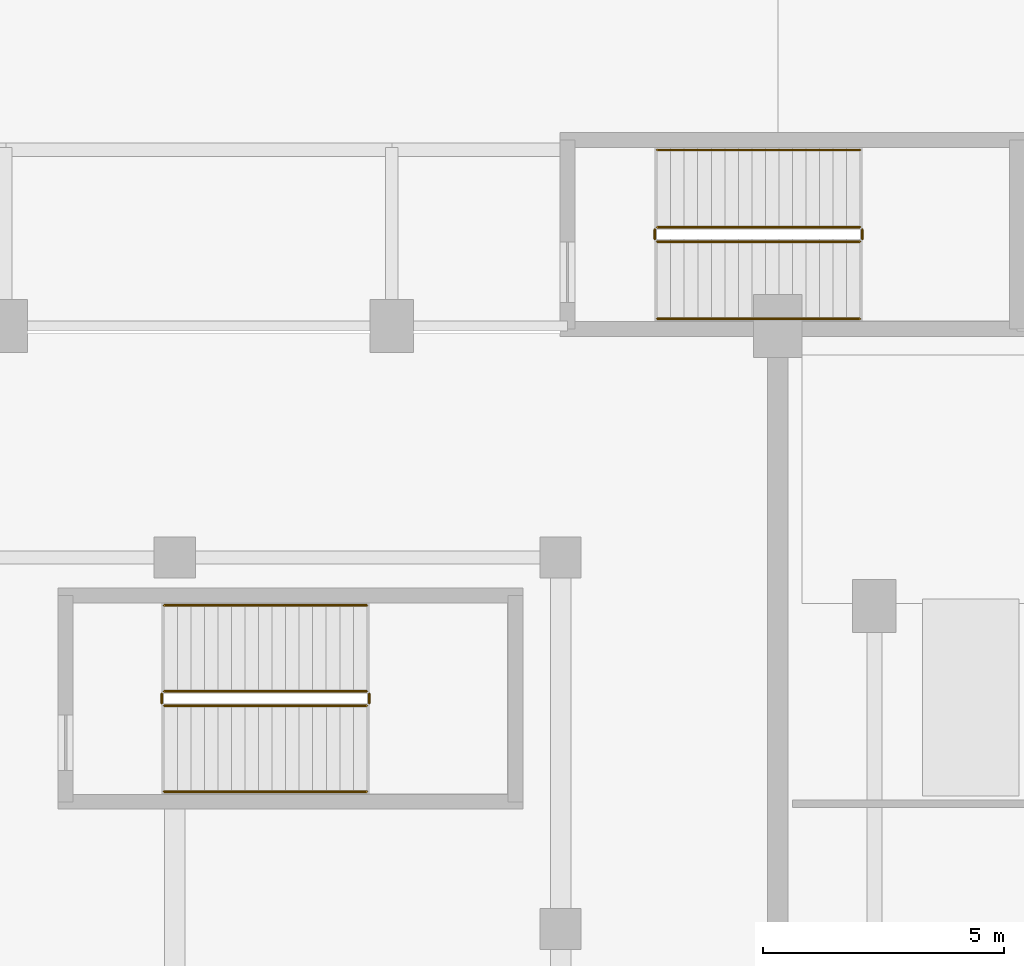
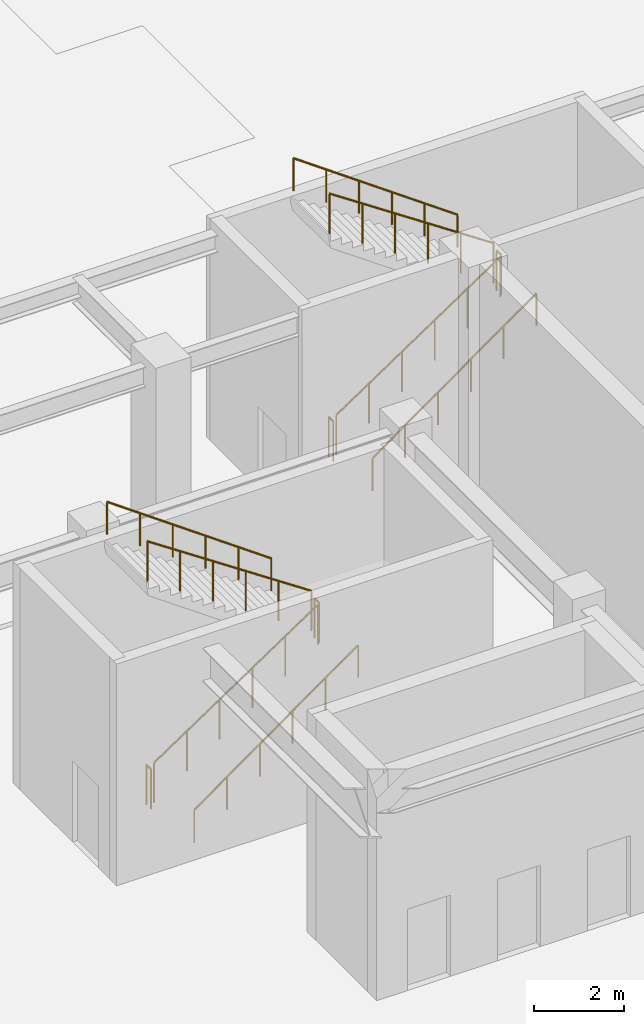
# One storey, part 48 of 49: 12 railings.
"""IFC4 building model written with IfcOpenShell, lengths in metres."""

from ifc_helpers import new_model, si_unit, direction, frame, origin, origin_2d, place, context, subcontext, project, spatial, circle, extrude, material, type_object, element, save


model = new_model("IFC4")

# Units and contexts
model_context = context("Model", 3, precision=1e-05, world=origin(), true_north=direction((0.0, 1.0)))
body_context = subcontext(model_context, "Body", "Model", "MODEL_VIEW")
ifc_project = project(units=[si_unit("LENGTHUNIT", "METRE"), si_unit("AREAUNIT", "SQUARE_METRE"), si_unit("VOLUMEUNIT", "CUBIC_METRE"), si_unit("PLANEANGLEUNIT", "RADIAN"), si_unit("MASSUNIT", "GRAM", prefix="KILO")], contexts=[model_context])

# Site, building, storey
site_placement = place(None, origin())
site = spatial("IfcSite", under=ifc_project, at=site_placement, CompositionType="ELEMENT")
building_placement = place(site_placement, origin())
building = spatial("IfcBuilding", under=site, at=building_placement, Name="Tlacozan Convention Centre", CompositionType="ELEMENT")
storey_placement = place(building_placement, origin())
storey = spatial("IfcBuildingStorey", under=building, at=storey_placement, Name="L00", CompositionType="ELEMENT", Elevation=0.0)

# Railings
ifc_material = material(Name="Architectural Painted Galvanised Steel Railing", Category="steel")
railing_type_1 = type_object("IfcRailingType", Name="Stair Wall Handrail 900", PredefinedType="HANDRAIL", material=ifc_material)
railing_1_placement = place(storey_placement, frame((131.280029296875, 52.35009765625, 0.1875)))
element("IfcRailing", 1, at=railing_1_placement, inside=storey, type_object=railing_type_1, Name="L00 ST-03 stair handrail 1", PredefinedType="HANDRAIL", context=body_context, shape_type="SweptSolid", body=[
    extrude(circle(Radius=0.02392578125, at=origin_2d()), frame((0.0, 0.0, 0.8759765625), z_axis=(0.813730275137, 0.0, 0.581242668191), x_axis=(0.0, 1.0, 0.0)), (0.0, 0.0, 1.0), 5.161376953125),
    extrude(circle(Radius=0.02099609375, at=origin_2d()), origin(), (0.0, 0.0, 1.0), 0.851806640625),
    extrude(circle(Radius=0.02099609375, at=origin_2d()), frame((0.840087890625, 0.0, 0.60009765625)), (0.0, 0.0, 1.0), 0.851806640625),
    extrude(circle(Radius=0.02099609375, at=origin_2d()), frame((1.679931640625, 0.0, 1.199951171875)), (0.0, 0.0, 1.0), 0.851806640625),
    extrude(circle(Radius=0.02099609375, at=origin_2d()), frame((2.52001953125, 0.0, 1.800048828125)), (0.0, 0.0, 1.0), 0.851806640625),
    extrude(circle(Radius=0.02099609375, at=origin_2d()), frame((3.35986328125, 0.0, 2.39990234375)), (0.0, 0.0, 1.0), 0.851806640625),
    extrude(circle(Radius=0.02099609375, at=origin_2d()), frame((4.199951171875, 0.0, 3.0)), (0.0, 0.0, 1.0), 0.851806640625),
])
railing_2_placement = place(storey_placement, frame((135.47998046875, 56.2099609375, 3.1875)))
element("IfcRailing", 2, at=railing_2_placement, inside=storey, type_object=railing_type_1, Name="L00 ST-03 stair handrail 2", PredefinedType="HANDRAIL", context=body_context, shape_type="SweptSolid", body=[
    extrude(circle(Radius=0.02392578125, at=origin_2d()), frame((0.0, 0.0, 0.8759765625), z_axis=(-0.813730275137, 0.0, 0.581242668191), x_axis=(0.0, -1.0, 0.0)), (0.0, 0.0, 1.0), 5.161376953125),
    extrude(circle(Radius=0.02099609375, at=origin_2d()), origin(), (0.0, 0.0, 1.0), 0.851806640625),
    extrude(circle(Radius=0.02099609375, at=origin_2d()), frame((-0.840087890625, 0.0, 0.60009765625)), (0.0, 0.0, 1.0), 0.851806640625),
    extrude(circle(Radius=0.02099609375, at=origin_2d()), frame((-1.679931640625, 0.0, 1.199951171875)), (0.0, 0.0, 1.0), 0.851806640625),
    extrude(circle(Radius=0.02099609375, at=origin_2d()), frame((-2.52001953125, 0.0, 1.800048828125)), (0.0, 0.0, 1.0), 0.851806640625),
    extrude(circle(Radius=0.02099609375, at=origin_2d()), frame((-3.35986328125, 0.0, 2.39990234375)), (0.0, 0.0, 1.0), 0.851806640625),
    extrude(circle(Radius=0.02099609375, at=origin_2d()), frame((-4.199951171875, 0.0, 3.0)), (0.0, 0.0, 1.0), 0.851806640625),
])
railing_3_placement = place(storey_placement, frame((141.5, 62.14990234375, 0.1875)))
element("IfcRailing", 3, at=railing_3_placement, inside=storey, type_object=railing_type_1, Name="L00 ST-11 stair handrail 1", PredefinedType="HANDRAIL", context=body_context, shape_type="SweptSolid", body=[
    extrude(circle(Radius=0.02392578125, at=origin_2d()), frame((0.0, 0.0, 0.8759765625), z_axis=(0.813730275137, 0.0, 0.581242668191), x_axis=(0.0, 1.0, 0.0)), (0.0, 0.0, 1.0), 5.161376953125),
    extrude(circle(Radius=0.02099609375, at=origin_2d()), origin(), (0.0, 0.0, 1.0), 0.851806640625),
    extrude(circle(Radius=0.02099609375, at=origin_2d()), frame((0.840087890625, 0.0, 0.60009765625)), (0.0, 0.0, 1.0), 0.851806640625),
    extrude(circle(Radius=0.02099609375, at=origin_2d()), frame((1.679931640625, 0.0, 1.199951171875)), (0.0, 0.0, 1.0), 0.851806640625),
    extrude(circle(Radius=0.02099609375, at=origin_2d()), frame((2.52001953125, 0.0, 1.800048828125)), (0.0, 0.0, 1.0), 0.851806640625),
    extrude(circle(Radius=0.02099609375, at=origin_2d()), frame((3.35986328125, 0.0, 2.39990234375)), (0.0, 0.0, 1.0), 0.851806640625),
    extrude(circle(Radius=0.02099609375, at=origin_2d()), frame((4.199951171875, 0.0, 3.0)), (0.0, 0.0, 1.0), 0.851806640625),
])
railing_4_placement = place(storey_placement, frame((145.699951171875, 65.64990234375, 3.1875)))
element("IfcRailing", 4, at=railing_4_placement, inside=storey, type_object=railing_type_1, Name="L00 ST-11 stair handrail 2", PredefinedType="HANDRAIL", context=body_context, shape_type="SweptSolid", body=[
    extrude(circle(Radius=0.02392578125, at=origin_2d()), frame((0.0, 0.0, 0.8759765625), z_axis=(-0.813730275137, 0.0, 0.581242668191), x_axis=(0.0, -1.0, 0.0)), (0.0, 0.0, 1.0), 5.161376953125),
    extrude(circle(Radius=0.02099609375, at=origin_2d()), origin(), (0.0, 0.0, 1.0), 0.851806640625),
    extrude(circle(Radius=0.02099609375, at=origin_2d()), frame((-0.840087890625, 0.0, 0.60009765625)), (0.0, 0.0, 1.0), 0.851806640625),
    extrude(circle(Radius=0.02099609375, at=origin_2d()), frame((-1.679931640625, 0.0, 1.199951171875)), (0.0, 0.0, 1.0), 0.851806640625),
    extrude(circle(Radius=0.02099609375, at=origin_2d()), frame((-2.52001953125, 0.0, 1.800048828125)), (0.0, 0.0, 1.0), 0.851806640625),
    extrude(circle(Radius=0.02099609375, at=origin_2d()), frame((-3.35986328125, 0.0, 2.39990234375)), (0.0, 0.0, 1.0), 0.851806640625),
    extrude(circle(Radius=0.02099609375, at=origin_2d()), frame((-4.199951171875, 0.0, 3.0)), (0.0, 0.0, 1.0), 0.851806640625),
])
railing_type_2 = type_object("IfcRailingType", Name="Stair Well Guardrail 1100", PredefinedType="GUARDRAIL", material=ifc_material)
railing_5_placement = place(storey_placement, frame((131.280029296875, 54.1298828125, 0.1875)))
element("IfcRailing", 5, at=railing_5_placement, inside=storey, type_object=railing_type_2, Name="L00 ST-03 stair guard 1", PredefinedType="GUARDRAIL", context=body_context, shape_type="SweptSolid", body=[
    extrude(circle(Radius=0.02392578125, at=origin_2d()), frame((0.0, 0.0, 1.076171875), z_axis=(0.830904186295, 0.0, 0.556415522067), x_axis=(0.0, 1.0, 0.0)), (0.0, 0.0, 1.0), 5.0546875),
    extrude(circle(Radius=0.02099609375, at=origin_2d()), origin(), (0.0, 0.0, 1.0), 1.052001953125),
    extrude(circle(Radius=0.02099609375, at=origin_2d()), frame((0.840087890625, 0.0, 0.5625)), (0.0, 0.0, 1.0), 1.052001953125),
    extrude(circle(Radius=0.02099609375, at=origin_2d()), frame((1.679931640625, 0.0, 1.125)), (0.0, 0.0, 1.0), 1.052001953125),
    extrude(circle(Radius=0.02099609375, at=origin_2d()), frame((2.52001953125, 0.0, 1.6875)), (0.0, 0.0, 1.0), 1.052001953125),
    extrude(circle(Radius=0.02099609375, at=origin_2d()), frame((3.35986328125, 0.0, 2.25)), (0.0, 0.0, 1.0), 1.052001953125),
    extrude(circle(Radius=0.02099609375, at=origin_2d()), frame((4.199951171875, 0.0, 2.8125)), (0.0, 0.0, 1.0), 1.052001953125),
])
railing_6_placement = place(storey_placement, frame((135.530029296875, 54.179931640625, 3.0)))
element("IfcRailing", 6, at=railing_6_placement, inside=storey, type_object=railing_type_2, Name="L00 ST-03 stair guard 2", PredefinedType="GUARDRAIL", context=body_context, shape_type="SweptSolid", body=[
    extrude(circle(Radius=0.02392578125, at=origin_2d()), frame((0.0, 0.0, 1.076171875), z_axis=(0.0, 1.0, 0.0), x_axis=(-1.0, 0.0, 0.0)), (0.0, 0.0, 1.0), 0.199951171875),
    extrude(circle(Radius=0.02099609375, at=origin_2d()), origin(), (0.0, 0.0, 1.0), 1.052001953125),
    extrude(circle(Radius=0.02099609375, at=origin_2d()), frame((0.0, 0.199951171875, 0.0)), (0.0, 0.0, 1.0), 1.052001953125),
])
railing_7_placement = place(storey_placement, frame((135.47998046875, 54.429931640625, 3.1875)))
element("IfcRailing", 7, at=railing_7_placement, inside=storey, type_object=railing_type_2, Name="L00 ST-03 stair guard 3", PredefinedType="GUARDRAIL", context=body_context, shape_type="SweptSolid", body=[
    extrude(circle(Radius=0.02392578125, at=origin_2d()), frame((0.0, 0.0, 1.076171875), z_axis=(-0.830904186295, 0.0, 0.556415522067), x_axis=(0.0, -1.0, 0.0)), (0.0, 0.0, 1.0), 5.0546875),
    extrude(circle(Radius=0.02099609375, at=origin_2d()), origin(), (0.0, 0.0, 1.0), 1.052001953125),
    extrude(circle(Radius=0.02099609375, at=origin_2d()), frame((-0.840087890625, 0.0, 0.5625)), (0.0, 0.0, 1.0), 1.052001953125),
    extrude(circle(Radius=0.02099609375, at=origin_2d()), frame((-1.679931640625, 0.0, 1.125)), (0.0, 0.0, 1.0), 1.052001953125),
    extrude(circle(Radius=0.02099609375, at=origin_2d()), frame((-2.52001953125, 0.0, 1.6875)), (0.0, 0.0, 1.0), 1.052001953125),
    extrude(circle(Radius=0.02099609375, at=origin_2d()), frame((-3.35986328125, 0.0, 2.25)), (0.0, 0.0, 1.0), 1.052001953125),
    extrude(circle(Radius=0.02099609375, at=origin_2d()), frame((-4.199951171875, 0.0, 2.8125)), (0.0, 0.0, 1.0), 1.052001953125),
])
railing_8_placement = place(storey_placement, frame((131.22998046875, 54.179931640625, 0.0)))
element("IfcRailing", 8, at=railing_8_placement, inside=storey, type_object=railing_type_2, Name="L00 ST-03 stair guard 4", PredefinedType="GUARDRAIL", context=body_context, shape_type="SweptSolid", body=[
    extrude(circle(Radius=0.02392578125, at=origin_2d()), frame((0.0, 0.0, 1.076171875), z_axis=(0.0, 1.0, 0.0), x_axis=(-1.0, 0.0, 0.0)), (0.0, 0.0, 1.0), 0.199951171875),
    extrude(circle(Radius=0.02099609375, at=origin_2d()), origin(), (0.0, 0.0, 1.0), 1.052001953125),
    extrude(circle(Radius=0.02099609375, at=origin_2d()), frame((0.0, 0.199951171875, 0.0)), (0.0, 0.0, 1.0), 1.052001953125),
])
railing_9_placement = place(storey_placement, frame((141.5, 63.75, 0.1875)))
element("IfcRailing", 9, at=railing_9_placement, inside=storey, type_object=railing_type_2, Name="L00 ST-11 stair guard 1", PredefinedType="GUARDRAIL", context=body_context, shape_type="SweptSolid", body=[
    extrude(circle(Radius=0.02392578125, at=origin_2d()), frame((0.0, 0.0, 1.076171875), z_axis=(0.830904186295, 0.0, 0.556415522067), x_axis=(0.0, 1.0, 0.0)), (0.0, 0.0, 1.0), 5.0546875),
    extrude(circle(Radius=0.02099609375, at=origin_2d()), origin(), (0.0, 0.0, 1.0), 1.052001953125),
    extrude(circle(Radius=0.02099609375, at=origin_2d()), frame((0.840087890625, 0.0, 0.5625)), (0.0, 0.0, 1.0), 1.052001953125),
    extrude(circle(Radius=0.02099609375, at=origin_2d()), frame((1.679931640625, 0.0, 1.125)), (0.0, 0.0, 1.0), 1.052001953125),
    extrude(circle(Radius=0.02099609375, at=origin_2d()), frame((2.52001953125, 0.0, 1.6875)), (0.0, 0.0, 1.0), 1.052001953125),
    extrude(circle(Radius=0.02099609375, at=origin_2d()), frame((3.35986328125, 0.0, 2.25)), (0.0, 0.0, 1.0), 1.052001953125),
    extrude(circle(Radius=0.02099609375, at=origin_2d()), frame((4.199951171875, 0.0, 2.8125)), (0.0, 0.0, 1.0), 1.052001953125),
])
railing_10_placement = place(storey_placement, frame((145.75, 63.800048828125, 3.0)))
element("IfcRailing", 10, at=railing_10_placement, inside=storey, type_object=railing_type_2, Name="L00 ST-11 stair guard 2", PredefinedType="GUARDRAIL", context=body_context, shape_type="SweptSolid", body=[
    extrude(circle(Radius=0.02392578125, at=origin_2d()), frame((0.0, 0.0, 1.076171875), z_axis=(0.0, 1.0, 0.0), x_axis=(-1.0, 0.0, 0.0)), (0.0, 0.0, 1.0), 0.199951171875),
    extrude(circle(Radius=0.02099609375, at=origin_2d()), origin(), (0.0, 0.0, 1.0), 1.052001953125),
    extrude(circle(Radius=0.02099609375, at=origin_2d()), frame((0.0, 0.199951171875, 0.0)), (0.0, 0.0, 1.0), 1.052001953125),
])
railing_11_placement = place(storey_placement, frame((145.699951171875, 64.050048828125, 3.1875)))
element("IfcRailing", 11, at=railing_11_placement, inside=storey, type_object=railing_type_2, Name="L00 ST-11 stair guard 3", PredefinedType="GUARDRAIL", context=body_context, shape_type="SweptSolid", body=[
    extrude(circle(Radius=0.02392578125, at=origin_2d()), frame((0.0, 0.0, 1.076171875), z_axis=(-0.830904186295, 0.0, 0.556415522067), x_axis=(0.0, -1.0, 0.0)), (0.0, 0.0, 1.0), 5.0546875),
    extrude(circle(Radius=0.02099609375, at=origin_2d()), origin(), (0.0, 0.0, 1.0), 1.052001953125),
    extrude(circle(Radius=0.02099609375, at=origin_2d()), frame((-0.840087890625, 0.0, 0.5625)), (0.0, 0.0, 1.0), 1.052001953125),
    extrude(circle(Radius=0.02099609375, at=origin_2d()), frame((-1.679931640625, 0.0, 1.125)), (0.0, 0.0, 1.0), 1.052001953125),
    extrude(circle(Radius=0.02099609375, at=origin_2d()), frame((-2.52001953125, 0.0, 1.6875)), (0.0, 0.0, 1.0), 1.052001953125),
    extrude(circle(Radius=0.02099609375, at=origin_2d()), frame((-3.35986328125, 0.0, 2.25)), (0.0, 0.0, 1.0), 1.052001953125),
    extrude(circle(Radius=0.02099609375, at=origin_2d()), frame((-4.199951171875, 0.0, 2.8125)), (0.0, 0.0, 1.0), 1.052001953125),
])
railing_12_placement = place(storey_placement, frame((141.449951171875, 63.800048828125, 0.0)))
element("IfcRailing", 12, at=railing_12_placement, inside=storey, type_object=railing_type_2, Name="L00 ST-11 stair guard 4", PredefinedType="GUARDRAIL", context=body_context, shape_type="SweptSolid", body=[
    extrude(circle(Radius=0.02392578125, at=origin_2d()), frame((0.0, 0.0, 1.076171875), z_axis=(0.0, 1.0, 0.0), x_axis=(-1.0, 0.0, 0.0)), (0.0, 0.0, 1.0), 0.199951171875),
    extrude(circle(Radius=0.02099609375, at=origin_2d()), origin(), (0.0, 0.0, 1.0), 1.052001953125),
    extrude(circle(Radius=0.02099609375, at=origin_2d()), frame((0.0, 0.199951171875, 0.0)), (0.0, 0.0, 1.0), 1.052001953125),
])

save(model, "model.ifc")
